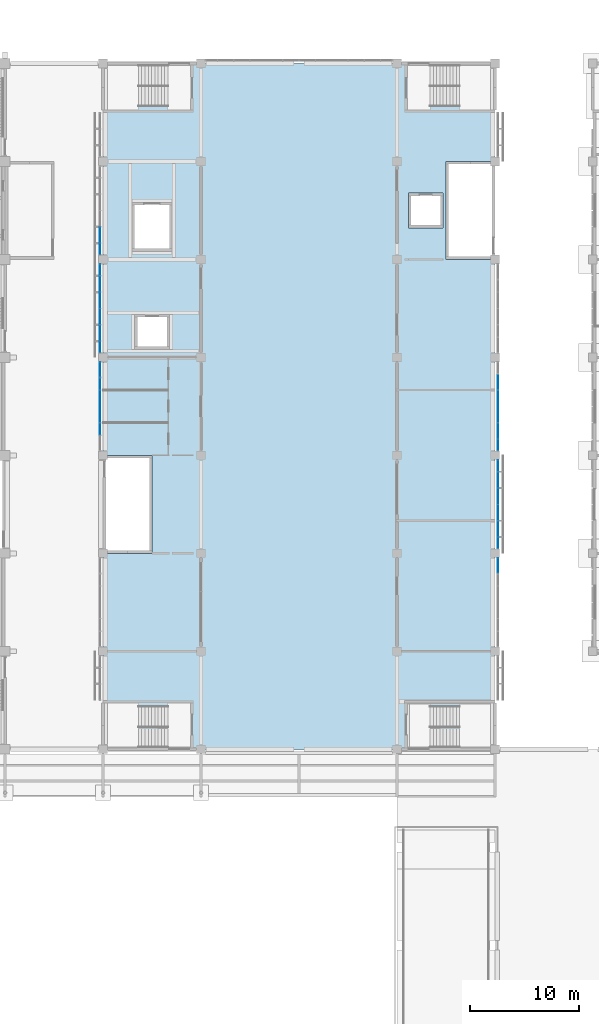
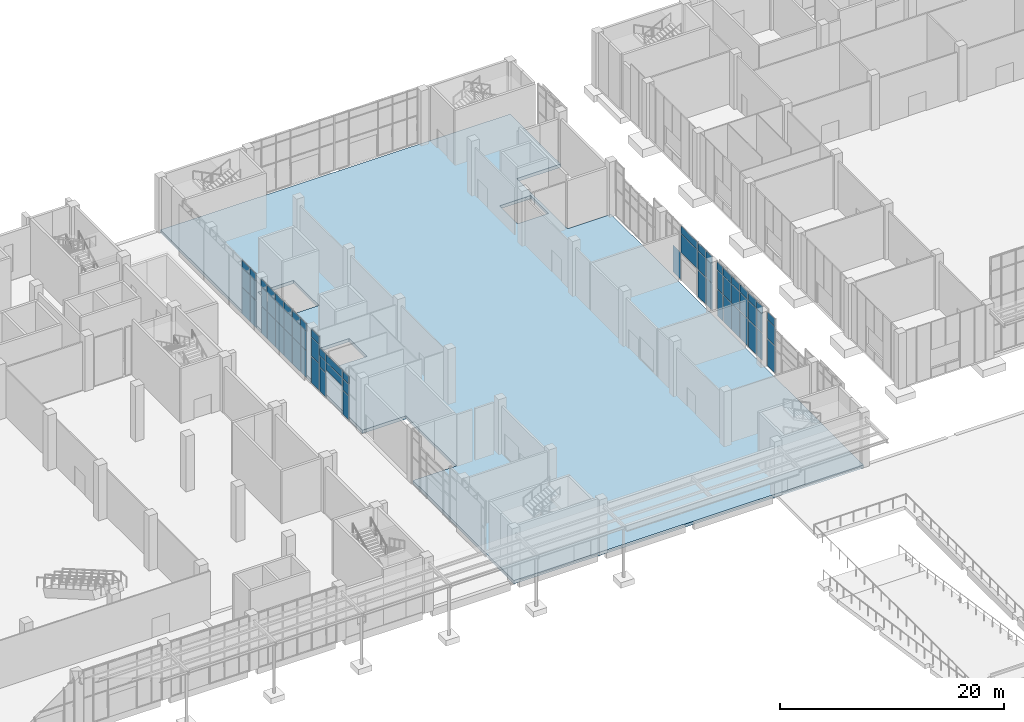
# One storey, part 42 of 86: 65 plates, 1 slab, 7 elements without a shape of their own.
"""IFC4 building model written with IfcOpenShell, lengths in metres."""

from ifc_helpers import new_model, si_unit, direction, frame, origin, origin_2d, place, context, subcontext, project, spatial, polyline, rectangle, outline, extrude, material, layer, layer_set, type_object, element, aggregate, save


model = new_model("IFC4")

# Units and contexts
model_context = context("Model", 3, precision=1e-05, world=origin(), true_north=direction((0.0, 1.0)))
body_context = subcontext(model_context, "Body", "Model", "MODEL_VIEW")
ifc_project = project(units=[si_unit("LENGTHUNIT", "METRE"), si_unit("AREAUNIT", "SQUARE_METRE"), si_unit("VOLUMEUNIT", "CUBIC_METRE"), si_unit("PLANEANGLEUNIT", "RADIAN"), si_unit("MASSUNIT", "GRAM", prefix="KILO")], contexts=[model_context])

# Site, building, storey
site_placement = place(None, origin())
site = spatial("IfcSite", under=ifc_project, at=site_placement, CompositionType="ELEMENT")
building_placement = place(site_placement, origin())
building = spatial("IfcBuilding", under=site, at=building_placement, Name="Guidao Yard Department Store", CompositionType="ELEMENT")
storey_placement = place(building_placement, origin())
storey = spatial("IfcBuildingStorey", under=building, at=storey_placement, Name="L00", CompositionType="ELEMENT", Elevation=0.0)

# Slab
ifc_material_1 = material(Name="Concrete C35", Category="concrete")
ifc_layer_1 = layer(ifc_material_1, 0.35009765625)
ifc_layer_set_1 = layer_set([ifc_layer_1], Name="Flat slab 350 C35")
slab_type = type_object("IfcSlabType", Name="Flat slab 350 C35", PredefinedType="FLOOR", material=ifc_layer_set_1)
slab_placement = place(storey_placement, frame((0.0, 0.0, -0.35009765625)))
element("IfcSlab", 1, at=slab_placement, inside=storey, type_object=slab_type, Name="Slab L00-A", PredefinedType="FLOOR", context=body_context, shape_type="SweptSolid", body=[
    extrude(outline(polyline([(72.0, 45.0), (72.0, 63.0), (76.5, 63.0), (76.5, 72.0), (72.0, 72.0), (72.0, 108.0), (108.0, 108.0), (108.0, 99.0), (103.5, 99.0), (103.5, 90.0), (108.0, 90.0), (108.0, 45.0), (72.0, 45.0)]), holes=[polyline([(78.10009765625, 84.949951171875), (74.89990234375, 84.949951171875), (74.89990234375, 81.75), (78.10009765625, 81.75), (78.10009765625, 84.949951171875)]), polyline([(74.64990234375, 90.75), (78.35009765625, 90.75), (78.35009765625, 95.25), (74.64990234375, 95.25), (74.64990234375, 90.75)]), polyline([(103.25, 92.89990234375), (103.25, 96.10009765625), (100.050048828125, 96.10009765625), (100.050048828125, 92.89990234375), (103.25, 92.89990234375)])]), origin(), (0.0, 0.0, 1.0), 0.35009765625),
])

# Curtain wall, plates
ifc_material_2 = material(Name="Aluminium and glass", Category="aluminium")
ifc_layer_2 = layer(ifc_material_2, 0.159912109375)
ifc_layer_set_2 = layer_set([ifc_layer_2], Name="Shopfront curtain wall CW1 1500 module")
curtain_wall_type = type_object("IfcCurtainWallType", Name="Shopfront curtain wall CW1 1500 module", PredefinedType="NOTDEFINED", material=ifc_layer_set_2)
curtain_wall_1_placement = place(storey_placement, origin())
curtain_wall_1 = element("IfcCurtainWall", 2, at=curtain_wall_1_placement, inside=storey, type_object=curtain_wall_type, Name="Arcade shop front", PredefinedType="NOTDEFINED")
ifc_material_3 = material(Name="Aluminium 6063-T5 faced insulated spandrel", Category="aluminium")
ifc_layer_3 = layer(ifc_material_3, 0.06005859375)
ifc_layer_set_3 = layer_set([ifc_layer_3], Name="Spandrel panel SP1 insulated opaque")
plate_type_1 = type_object("IfcPlateType", Name="Spandrel panel SP1 insulated opaque", PredefinedType="CURTAIN_PANEL", material=ifc_layer_set_3)
plate_1_placement = place(storey_placement, frame((71.719970703125, 74.43994140625, 3.97998046875), z_axis=(0.0, 0.0, 1.0), x_axis=(0.0, 1.0, 0.0)))
plate_1 = element("IfcPlate", 3, at=plate_1_placement, type_object=plate_type_1, Name="CW-AS-L00-06 panel 1.3", PredefinedType="CURTAIN_PANEL", context=body_context, shape_type="SweptSolid", body=[
    extrude(rectangle(XDim=1.06005859375, YDim=0.06005859375, at=origin_2d()), origin(), (0.0, 0.0, 1.0), 0.81005859375),
])
plate_2_placement = place(storey_placement, frame((71.719970703125, 76.5, 3.97998046875), z_axis=(0.0, 0.0, 1.0), x_axis=(0.0, 1.0, 0.0)))
plate_2 = element("IfcPlate", 4, at=plate_2_placement, type_object=plate_type_1, Name="CW-AS-L00-06 panel 2.3", PredefinedType="CURTAIN_PANEL", context=body_context, shape_type="SweptSolid", body=[
    extrude(rectangle(XDim=2.93994140625, YDim=0.06005859375, at=origin_2d()), origin(), (0.0, 0.0, 1.0), 0.81005859375),
])
plate_3_placement = place(storey_placement, frame((71.719970703125, 78.56005859375, 3.97998046875), z_axis=(0.0, 0.0, 1.0), x_axis=(0.0, 1.0, 0.0)))
plate_3 = element("IfcPlate", 5, at=plate_3_placement, type_object=plate_type_1, Name="CW-AS-L00-06 panel 3.3", PredefinedType="CURTAIN_PANEL", context=body_context, shape_type="SweptSolid", body=[
    extrude(rectangle(XDim=1.06005859375, YDim=0.06005859375, at=origin_2d()), origin(), (0.0, 0.0, 1.0), 0.81005859375),
])

# Curtain wall, plate
curtain_wall_2_placement = place(storey_placement, origin())
curtain_wall_2 = element("IfcCurtainWall", 6, at=curtain_wall_2_placement, inside=storey, type_object=curtain_wall_type, Name="Arcade shop front", PredefinedType="NOTDEFINED")
plate_4_placement = place(storey_placement, frame((71.719970703125, 79.875, 5.1298828125), z_axis=(0.0, 0.0, 1.0), x_axis=(0.0, 1.0, 0.0)))
plate_4 = element("IfcPlate", 7, at=plate_4_placement, type_object=plate_type_1, Name="CW-AS-L00-07 panel 1.3", PredefinedType="CURTAIN_PANEL", context=body_context, shape_type="SweptSolid", body=[
    extrude(rectangle(XDim=1.330078125, YDim=0.06005859375, at=origin_2d()), origin(), (0.0, 0.0, 1.0), 0.81005859375),
])

# Curtain wall, plates
curtain_wall_3_placement = place(storey_placement, origin())
curtain_wall_3 = element("IfcCurtainWall", 8, at=curtain_wall_3_placement, inside=storey, type_object=curtain_wall_type, Name="Arcade shop front", PredefinedType="NOTDEFINED")
plate_5_placement = place(storey_placement, frame((71.719970703125, 81.965087890625, 5.1298828125), z_axis=(0.0, 0.0, 1.0), x_axis=(0.0, 1.0, 0.0)))
plate_5 = element("IfcPlate", 9, at=plate_5_placement, type_object=plate_type_1, Name="CW-AS-L00-08 panel 1.3", PredefinedType="CURTAIN_PANEL", context=body_context, shape_type="SweptSolid", body=[
    extrude(rectangle(XDim=1.010009765625, YDim=0.06005859375, at=origin_2d()), origin(), (0.0, 0.0, 1.0), 0.81005859375),
])
plate_6_placement = place(storey_placement, frame((71.719970703125, 83.25, 5.1298828125), z_axis=(0.0, 0.0, 1.0), x_axis=(0.0, 1.0, 0.0)))
plate_6 = element("IfcPlate", 10, at=plate_6_placement, type_object=plate_type_1, Name="CW-AS-L00-08 panel 2.3", PredefinedType="CURTAIN_PANEL", context=body_context, shape_type="SweptSolid", body=[
    extrude(rectangle(XDim=1.43994140625, YDim=0.06005859375, at=origin_2d()), origin(), (0.0, 0.0, 1.0), 0.81005859375),
])
plate_7_placement = place(storey_placement, frame((71.719970703125, 84.75, 5.1298828125), z_axis=(0.0, 0.0, 1.0), x_axis=(0.0, 1.0, 0.0)))
plate_7 = element("IfcPlate", 11, at=plate_7_placement, type_object=plate_type_1, Name="CW-AS-L00-08 panel 3.3", PredefinedType="CURTAIN_PANEL", context=body_context, shape_type="SweptSolid", body=[
    extrude(rectangle(XDim=1.43994140625, YDim=0.06005859375, at=origin_2d()), origin(), (0.0, 0.0, 1.0), 0.81005859375),
])
plate_8_placement = place(storey_placement, frame((71.719970703125, 86.25, 5.1298828125), z_axis=(0.0, 0.0, 1.0), x_axis=(0.0, 1.0, 0.0)))
plate_8 = element("IfcPlate", 12, at=plate_8_placement, type_object=plate_type_1, Name="CW-AS-L00-08 panel 4.3", PredefinedType="CURTAIN_PANEL", context=body_context, shape_type="SweptSolid", body=[
    extrude(rectangle(XDim=1.43994140625, YDim=0.06005859375, at=origin_2d()), origin(), (0.0, 0.0, 1.0), 0.81005859375),
])
plate_9_placement = place(storey_placement, frame((71.719970703125, 87.75, 5.1298828125), z_axis=(0.0, 0.0, 1.0), x_axis=(0.0, 1.0, 0.0)))
plate_9 = element("IfcPlate", 13, at=plate_9_placement, type_object=plate_type_1, Name="CW-AS-L00-08 panel 5.3", PredefinedType="CURTAIN_PANEL", context=body_context, shape_type="SweptSolid", body=[
    extrude(rectangle(XDim=1.43994140625, YDim=0.06005859375, at=origin_2d()), origin(), (0.0, 0.0, 1.0), 0.81005859375),
])
plate_10_placement = place(storey_placement, frame((71.719970703125, 89.034912109375, 5.1298828125), z_axis=(0.0, 0.0, 1.0), x_axis=(0.0, 1.0, 0.0)))
plate_10 = element("IfcPlate", 14, at=plate_10_placement, type_object=plate_type_1, Name="CW-AS-L00-08 panel 6.3", PredefinedType="CURTAIN_PANEL", context=body_context, shape_type="SweptSolid", body=[
    extrude(rectangle(XDim=1.010009765625, YDim=0.06005859375, at=origin_2d()), origin(), (0.0, 0.0, 1.0), 0.81005859375),
])

curtain_wall_4_placement = place(storey_placement, origin())
curtain_wall_4 = element("IfcCurtainWall", 15, at=curtain_wall_4_placement, inside=storey, type_object=curtain_wall_type, Name="Arcade shop front", PredefinedType="NOTDEFINED")
plate_11_placement = place(storey_placement, frame((71.719970703125, 90.965087890625, 5.1298828125), z_axis=(0.0, 0.0, 1.0), x_axis=(0.0, 1.0, 0.0)))
plate_11 = element("IfcPlate", 16, at=plate_11_placement, type_object=plate_type_1, Name="CW-AS-L00-09 panel 1.3", PredefinedType="CURTAIN_PANEL", context=body_context, shape_type="SweptSolid", body=[
    extrude(rectangle(XDim=1.010009765625, YDim=0.06005859375, at=origin_2d()), origin(), (0.0, 0.0, 1.0), 0.81005859375),
])
plate_12_placement = place(storey_placement, frame((71.719970703125, 92.25, 5.1298828125), z_axis=(0.0, 0.0, 1.0), x_axis=(0.0, 1.0, 0.0)))
plate_12 = element("IfcPlate", 17, at=plate_12_placement, type_object=plate_type_1, Name="CW-AS-L00-09 panel 2.3", PredefinedType="CURTAIN_PANEL", context=body_context, shape_type="SweptSolid", body=[
    extrude(rectangle(XDim=1.43994140625, YDim=0.06005859375, at=origin_2d()), origin(), (0.0, 0.0, 1.0), 0.81005859375),
])

# Curtain wall, plate
curtain_wall_5_placement = place(storey_placement, origin())
curtain_wall_5 = element("IfcCurtainWall", 18, at=curtain_wall_5_placement, inside=storey, type_object=curtain_wall_type, Name="Arcade shop front", PredefinedType="NOTDEFINED")
plate_13_placement = place(storey_placement, frame((108.280029296875, 61.875, 5.1298828125), z_axis=(0.0, 0.0, 1.0), x_axis=(0.0, -1.0, 0.0)))
plate_13 = element("IfcPlate", 19, at=plate_13_placement, type_object=plate_type_1, Name="CW-AS-L00-14 panel 1.3", PredefinedType="CURTAIN_PANEL", context=body_context, shape_type="SweptSolid", body=[
    extrude(rectangle(XDim=1.330078125, YDim=0.06005859375, at=origin_2d()), origin(), (0.0, 0.0, 1.0), 0.81005859375),
])

# Curtain wall, plates
curtain_wall_6_placement = place(storey_placement, origin())
curtain_wall_6 = element("IfcCurtainWall", 20, at=curtain_wall_6_placement, inside=storey, type_object=curtain_wall_type, Name="Arcade shop front", PredefinedType="NOTDEFINED")
plate_14_placement = place(storey_placement, frame((108.280029296875, 63.965087890625, 5.1298828125), z_axis=(0.0, 0.0, 1.0), x_axis=(0.0, -1.0, 0.0)))
plate_14 = element("IfcPlate", 21, at=plate_14_placement, type_object=plate_type_1, Name="CW-AS-L00-15 panel 1.3", PredefinedType="CURTAIN_PANEL", context=body_context, shape_type="SweptSolid", body=[
    extrude(rectangle(XDim=1.010009765625, YDim=0.06005859375, at=origin_2d()), origin(), (0.0, 0.0, 1.0), 0.81005859375),
])
plate_15_placement = place(storey_placement, frame((108.280029296875, 65.25, 5.1298828125), z_axis=(0.0, 0.0, 1.0), x_axis=(0.0, -1.0, 0.0)))
plate_15 = element("IfcPlate", 22, at=plate_15_placement, type_object=plate_type_1, Name="CW-AS-L00-15 panel 2.3", PredefinedType="CURTAIN_PANEL", context=body_context, shape_type="SweptSolid", body=[
    extrude(rectangle(XDim=1.43994140625, YDim=0.06005859375, at=origin_2d()), origin(), (0.0, 0.0, 1.0), 0.81005859375),
])
plate_16_placement = place(storey_placement, frame((108.280029296875, 66.75, 5.1298828125), z_axis=(0.0, 0.0, 1.0), x_axis=(0.0, -1.0, 0.0)))
plate_16 = element("IfcPlate", 23, at=plate_16_placement, type_object=plate_type_1, Name="CW-AS-L00-15 panel 3.3", PredefinedType="CURTAIN_PANEL", context=body_context, shape_type="SweptSolid", body=[
    extrude(rectangle(XDim=1.43994140625, YDim=0.06005859375, at=origin_2d()), origin(), (0.0, 0.0, 1.0), 0.81005859375),
])
plate_17_placement = place(storey_placement, frame((108.280029296875, 68.25, 5.1298828125), z_axis=(0.0, 0.0, 1.0), x_axis=(0.0, -1.0, 0.0)))
plate_17 = element("IfcPlate", 24, at=plate_17_placement, type_object=plate_type_1, Name="CW-AS-L00-15 panel 4.3", PredefinedType="CURTAIN_PANEL", context=body_context, shape_type="SweptSolid", body=[
    extrude(rectangle(XDim=1.43994140625, YDim=0.06005859375, at=origin_2d()), origin(), (0.0, 0.0, 1.0), 0.81005859375),
])
plate_18_placement = place(storey_placement, frame((108.280029296875, 69.75, 5.1298828125), z_axis=(0.0, 0.0, 1.0), x_axis=(0.0, -1.0, 0.0)))
plate_18 = element("IfcPlate", 25, at=plate_18_placement, type_object=plate_type_1, Name="CW-AS-L00-15 panel 5.3", PredefinedType="CURTAIN_PANEL", context=body_context, shape_type="SweptSolid", body=[
    extrude(rectangle(XDim=1.43994140625, YDim=0.06005859375, at=origin_2d()), origin(), (0.0, 0.0, 1.0), 0.81005859375),
])
plate_19_placement = place(storey_placement, frame((108.280029296875, 71.034912109375, 5.1298828125), z_axis=(0.0, 0.0, 1.0), x_axis=(0.0, -1.0, 0.0)))
plate_19 = element("IfcPlate", 26, at=plate_19_placement, type_object=plate_type_1, Name="CW-AS-L00-15 panel 6.3", PredefinedType="CURTAIN_PANEL", context=body_context, shape_type="SweptSolid", body=[
    extrude(rectangle(XDim=1.010009765625, YDim=0.06005859375, at=origin_2d()), origin(), (0.0, 0.0, 1.0), 0.81005859375),
])

curtain_wall_7_placement = place(storey_placement, origin())
curtain_wall_7 = element("IfcCurtainWall", 27, at=curtain_wall_7_placement, inside=storey, type_object=curtain_wall_type, Name="Arcade shop front", PredefinedType="NOTDEFINED")
plate_20_placement = place(storey_placement, frame((108.280029296875, 72.965087890625, 5.1298828125), z_axis=(0.0, 0.0, 1.0), x_axis=(0.0, -1.0, 0.0)))
plate_20 = element("IfcPlate", 28, at=plate_20_placement, type_object=plate_type_1, Name="CW-AS-L00-16 panel 1.3", PredefinedType="CURTAIN_PANEL", context=body_context, shape_type="SweptSolid", body=[
    extrude(rectangle(XDim=1.010009765625, YDim=0.06005859375, at=origin_2d()), origin(), (0.0, 0.0, 1.0), 0.81005859375),
])
plate_21_placement = place(storey_placement, frame((108.280029296875, 74.25, 5.1298828125), z_axis=(0.0, 0.0, 1.0), x_axis=(0.0, -1.0, 0.0)))
plate_21 = element("IfcPlate", 29, at=plate_21_placement, type_object=plate_type_1, Name="CW-AS-L00-16 panel 2.3", PredefinedType="CURTAIN_PANEL", context=body_context, shape_type="SweptSolid", body=[
    extrude(rectangle(XDim=1.43994140625, YDim=0.06005859375, at=origin_2d()), origin(), (0.0, 0.0, 1.0), 0.81005859375),
])
plate_22_placement = place(storey_placement, frame((108.280029296875, 76.5, 5.1298828125), z_axis=(0.0, 0.0, 1.0), x_axis=(0.0, -1.0, 0.0)))
plate_22 = element("IfcPlate", 30, at=plate_22_placement, type_object=plate_type_1, Name="CW-AS-L00-16 panel 3.3", PredefinedType="CURTAIN_PANEL", context=body_context, shape_type="SweptSolid", body=[
    extrude(rectangle(XDim=2.93994140625, YDim=0.06005859375, at=origin_2d()), origin(), (0.0, 0.0, 1.0), 0.81005859375),
])

# Plate
ifc_material_4 = material(Name="Laminated heat-soaked tempered glass", Category="glass")
ifc_layer_4 = layer(ifc_material_4, 0.017578125)
ifc_layer_set_4 = layer_set([ifc_layer_4], Name="Vision glass VG1 laminated heat-soaked tempered 8+8")
plate_type_2 = type_object("IfcPlateType", Name="Vision glass VG1 laminated heat-soaked tempered 8+8", PredefinedType="CURTAIN_PANEL", material=ifc_layer_set_4)
plate_23_placement = place(storey_placement, frame((71.719970703125, 74.43994140625, 0.06005859375), z_axis=(0.0, 0.0, 1.0), x_axis=(0.0, 1.0, 0.0)))
plate_23 = element("IfcPlate", 31, at=plate_23_placement, type_object=plate_type_2, Name="CW-AS-L00-06 panel 1.1", PredefinedType="CURTAIN_PANEL", context=body_context, shape_type="SweptSolid", body=[
    extrude(rectangle(XDim=1.06005859375, YDim=0.017578125, at=origin_2d()), origin(), (0.0, 0.0, 1.0), 2.610107421875),
])

plate_24_placement = place(storey_placement, frame((71.719970703125, 74.43994140625, 2.72998046875), z_axis=(0.0, 0.0, 1.0), x_axis=(0.0, 1.0, 0.0)))
plate_24 = element("IfcPlate", 32, at=plate_24_placement, type_object=plate_type_2, Name="CW-AS-L00-06 panel 1.2", PredefinedType="CURTAIN_PANEL", context=body_context, shape_type="SweptSolid", body=[
    extrude(rectangle(XDim=1.06005859375, YDim=0.017578125, at=origin_2d()), origin(), (0.0, 0.0, 1.0), 1.18994140625),
])

plate_25_placement = place(storey_placement, frame((71.719970703125, 76.5, 3.0302734375), z_axis=(0.0, 0.0, 1.0), x_axis=(0.0, 1.0, 0.0)))
plate_25 = element("IfcPlate", 33, at=plate_25_placement, type_object=plate_type_2, Name="CW-AS-L00-06 panel 2.2", PredefinedType="CURTAIN_PANEL", context=body_context, shape_type="SweptSolid", body=[
    extrude(rectangle(XDim=2.93994140625, YDim=0.017578125, at=origin_2d()), origin(), (0.0, 0.0, 1.0), 0.889892578125),
])

plate_26_placement = place(storey_placement, frame((71.719970703125, 78.56005859375, 0.06005859375), z_axis=(0.0, 0.0, 1.0), x_axis=(0.0, 1.0, 0.0)))
plate_26 = element("IfcPlate", 34, at=plate_26_placement, type_object=plate_type_2, Name="CW-AS-L00-06 panel 3.1", PredefinedType="CURTAIN_PANEL", context=body_context, shape_type="SweptSolid", body=[
    extrude(rectangle(XDim=1.06005859375, YDim=0.017578125, at=origin_2d()), origin(), (0.0, 0.0, 1.0), 2.610107421875),
])

plate_27_placement = place(storey_placement, frame((71.719970703125, 78.56005859375, 2.72998046875), z_axis=(0.0, 0.0, 1.0), x_axis=(0.0, 1.0, 0.0)))
plate_27 = element("IfcPlate", 35, at=plate_27_placement, type_object=plate_type_2, Name="CW-AS-L00-06 panel 3.2", PredefinedType="CURTAIN_PANEL", context=body_context, shape_type="SweptSolid", body=[
    extrude(rectangle(XDim=1.06005859375, YDim=0.017578125, at=origin_2d()), origin(), (0.0, 0.0, 1.0), 1.18994140625),
])

aggregate(curtain_wall_1, [plate_23, plate_24, plate_1, plate_25, plate_2, plate_26, plate_27, plate_3])

plate_28_placement = place(storey_placement, frame((71.719970703125, 79.875, 0.06005859375), z_axis=(0.0, 0.0, 1.0), x_axis=(0.0, 1.0, 0.0)))
plate_28 = element("IfcPlate", 36, at=plate_28_placement, type_object=plate_type_2, Name="CW-AS-L00-07 panel 1.1", PredefinedType="CURTAIN_PANEL", context=body_context, shape_type="SweptSolid", body=[
    extrude(rectangle(XDim=1.330078125, YDim=0.017578125, at=origin_2d()), origin(), (0.0, 0.0, 1.0), 2.909912109375),
])

plate_29_placement = place(storey_placement, frame((71.719970703125, 79.875, 3.030029296875), z_axis=(0.0, 0.0, 1.0), x_axis=(0.0, 1.0, 0.0)))
plate_29 = element("IfcPlate", 37, at=plate_29_placement, type_object=plate_type_2, Name="CW-AS-L00-07 panel 1.2", PredefinedType="CURTAIN_PANEL", context=body_context, shape_type="SweptSolid", body=[
    extrude(rectangle(XDim=1.330078125, YDim=0.017578125, at=origin_2d()), origin(), (0.0, 0.0, 1.0), 2.0400390625),
])

aggregate(curtain_wall_2, [plate_28, plate_29, plate_4])

plate_30_placement = place(storey_placement, frame((71.719970703125, 81.965087890625, 0.06005859375), z_axis=(0.0, 0.0, 1.0), x_axis=(0.0, 1.0, 0.0)))
plate_30 = element("IfcPlate", 38, at=plate_30_placement, type_object=plate_type_2, Name="CW-AS-L00-08 panel 1.1", PredefinedType="CURTAIN_PANEL", context=body_context, shape_type="SweptSolid", body=[
    extrude(rectangle(XDim=1.010009765625, YDim=0.017578125, at=origin_2d()), origin(), (0.0, 0.0, 1.0), 2.909912109375),
])

plate_31_placement = place(storey_placement, frame((71.719970703125, 81.965087890625, 3.030029296875), z_axis=(0.0, 0.0, 1.0), x_axis=(0.0, 1.0, 0.0)))
plate_31 = element("IfcPlate", 39, at=plate_31_placement, type_object=plate_type_2, Name="CW-AS-L00-08 panel 1.2", PredefinedType="CURTAIN_PANEL", context=body_context, shape_type="SweptSolid", body=[
    extrude(rectangle(XDim=1.010009765625, YDim=0.017578125, at=origin_2d()), origin(), (0.0, 0.0, 1.0), 2.0400390625),
])

plate_32_placement = place(storey_placement, frame((71.719970703125, 83.25, 0.06005859375), z_axis=(0.0, 0.0, 1.0), x_axis=(0.0, 1.0, 0.0)))
plate_32 = element("IfcPlate", 40, at=plate_32_placement, type_object=plate_type_2, Name="CW-AS-L00-08 panel 2.1", PredefinedType="CURTAIN_PANEL", context=body_context, shape_type="SweptSolid", body=[
    extrude(rectangle(XDim=1.43994140625, YDim=0.017578125, at=origin_2d()), origin(), (0.0, 0.0, 1.0), 2.909912109375),
])

plate_33_placement = place(storey_placement, frame((71.719970703125, 83.25, 3.030029296875), z_axis=(0.0, 0.0, 1.0), x_axis=(0.0, 1.0, 0.0)))
plate_33 = element("IfcPlate", 41, at=plate_33_placement, type_object=plate_type_2, Name="CW-AS-L00-08 panel 2.2", PredefinedType="CURTAIN_PANEL", context=body_context, shape_type="SweptSolid", body=[
    extrude(rectangle(XDim=1.43994140625, YDim=0.017578125, at=origin_2d()), origin(), (0.0, 0.0, 1.0), 2.0400390625),
])

plate_34_placement = place(storey_placement, frame((71.719970703125, 84.75, 0.06005859375), z_axis=(0.0, 0.0, 1.0), x_axis=(0.0, 1.0, 0.0)))
plate_34 = element("IfcPlate", 42, at=plate_34_placement, type_object=plate_type_2, Name="CW-AS-L00-08 panel 3.1", PredefinedType="CURTAIN_PANEL", context=body_context, shape_type="SweptSolid", body=[
    extrude(rectangle(XDim=1.43994140625, YDim=0.017578125, at=origin_2d()), origin(), (0.0, 0.0, 1.0), 2.909912109375),
])

plate_35_placement = place(storey_placement, frame((71.719970703125, 84.75, 3.030029296875), z_axis=(0.0, 0.0, 1.0), x_axis=(0.0, 1.0, 0.0)))
plate_35 = element("IfcPlate", 43, at=plate_35_placement, type_object=plate_type_2, Name="CW-AS-L00-08 panel 3.2", PredefinedType="CURTAIN_PANEL", context=body_context, shape_type="SweptSolid", body=[
    extrude(rectangle(XDim=1.43994140625, YDim=0.017578125, at=origin_2d()), origin(), (0.0, 0.0, 1.0), 2.0400390625),
])

plate_36_placement = place(storey_placement, frame((71.719970703125, 86.25, 0.06005859375), z_axis=(0.0, 0.0, 1.0), x_axis=(0.0, 1.0, 0.0)))
plate_36 = element("IfcPlate", 44, at=plate_36_placement, type_object=plate_type_2, Name="CW-AS-L00-08 panel 4.1", PredefinedType="CURTAIN_PANEL", context=body_context, shape_type="SweptSolid", body=[
    extrude(rectangle(XDim=1.43994140625, YDim=0.017578125, at=origin_2d()), origin(), (0.0, 0.0, 1.0), 2.909912109375),
])

plate_37_placement = place(storey_placement, frame((71.719970703125, 86.25, 3.030029296875), z_axis=(0.0, 0.0, 1.0), x_axis=(0.0, 1.0, 0.0)))
plate_37 = element("IfcPlate", 45, at=plate_37_placement, type_object=plate_type_2, Name="CW-AS-L00-08 panel 4.2", PredefinedType="CURTAIN_PANEL", context=body_context, shape_type="SweptSolid", body=[
    extrude(rectangle(XDim=1.43994140625, YDim=0.017578125, at=origin_2d()), origin(), (0.0, 0.0, 1.0), 2.0400390625),
])

plate_38_placement = place(storey_placement, frame((71.719970703125, 87.75, 0.06005859375), z_axis=(0.0, 0.0, 1.0), x_axis=(0.0, 1.0, 0.0)))
plate_38 = element("IfcPlate", 46, at=plate_38_placement, type_object=plate_type_2, Name="CW-AS-L00-08 panel 5.1", PredefinedType="CURTAIN_PANEL", context=body_context, shape_type="SweptSolid", body=[
    extrude(rectangle(XDim=1.43994140625, YDim=0.017578125, at=origin_2d()), origin(), (0.0, 0.0, 1.0), 2.909912109375),
])

plate_39_placement = place(storey_placement, frame((71.719970703125, 87.75, 3.030029296875), z_axis=(0.0, 0.0, 1.0), x_axis=(0.0, 1.0, 0.0)))
plate_39 = element("IfcPlate", 47, at=plate_39_placement, type_object=plate_type_2, Name="CW-AS-L00-08 panel 5.2", PredefinedType="CURTAIN_PANEL", context=body_context, shape_type="SweptSolid", body=[
    extrude(rectangle(XDim=1.43994140625, YDim=0.017578125, at=origin_2d()), origin(), (0.0, 0.0, 1.0), 2.0400390625),
])

plate_40_placement = place(storey_placement, frame((71.719970703125, 89.034912109375, 0.06005859375), z_axis=(0.0, 0.0, 1.0), x_axis=(0.0, 1.0, 0.0)))
plate_40 = element("IfcPlate", 48, at=plate_40_placement, type_object=plate_type_2, Name="CW-AS-L00-08 panel 6.1", PredefinedType="CURTAIN_PANEL", context=body_context, shape_type="SweptSolid", body=[
    extrude(rectangle(XDim=1.010009765625, YDim=0.017578125, at=origin_2d()), origin(), (0.0, 0.0, 1.0), 2.909912109375),
])

plate_41_placement = place(storey_placement, frame((71.719970703125, 89.034912109375, 3.030029296875), z_axis=(0.0, 0.0, 1.0), x_axis=(0.0, 1.0, 0.0)))
plate_41 = element("IfcPlate", 49, at=plate_41_placement, type_object=plate_type_2, Name="CW-AS-L00-08 panel 6.2", PredefinedType="CURTAIN_PANEL", context=body_context, shape_type="SweptSolid", body=[
    extrude(rectangle(XDim=1.010009765625, YDim=0.017578125, at=origin_2d()), origin(), (0.0, 0.0, 1.0), 2.0400390625),
])

aggregate(curtain_wall_3, [plate_30, plate_31, plate_5, plate_32, plate_33, plate_6, plate_34, plate_35, plate_7, plate_36, plate_37, plate_8, plate_38, plate_39, plate_9, plate_40, plate_41, plate_10])

plate_42_placement = place(storey_placement, frame((71.719970703125, 90.965087890625, 0.06005859375), z_axis=(0.0, 0.0, 1.0), x_axis=(0.0, 1.0, 0.0)))
plate_42 = element("IfcPlate", 50, at=plate_42_placement, type_object=plate_type_2, Name="CW-AS-L00-09 panel 1.1", PredefinedType="CURTAIN_PANEL", context=body_context, shape_type="SweptSolid", body=[
    extrude(rectangle(XDim=1.010009765625, YDim=0.017578125, at=origin_2d()), origin(), (0.0, 0.0, 1.0), 2.909912109375),
])

plate_43_placement = place(storey_placement, frame((71.719970703125, 90.965087890625, 3.030029296875), z_axis=(0.0, 0.0, 1.0), x_axis=(0.0, 1.0, 0.0)))
plate_43 = element("IfcPlate", 51, at=plate_43_placement, type_object=plate_type_2, Name="CW-AS-L00-09 panel 1.2", PredefinedType="CURTAIN_PANEL", context=body_context, shape_type="SweptSolid", body=[
    extrude(rectangle(XDim=1.010009765625, YDim=0.017578125, at=origin_2d()), origin(), (0.0, 0.0, 1.0), 2.0400390625),
])

plate_44_placement = place(storey_placement, frame((71.719970703125, 92.25, 0.06005859375), z_axis=(0.0, 0.0, 1.0), x_axis=(0.0, 1.0, 0.0)))
plate_44 = element("IfcPlate", 52, at=plate_44_placement, type_object=plate_type_2, Name="CW-AS-L00-09 panel 2.1", PredefinedType="CURTAIN_PANEL", context=body_context, shape_type="SweptSolid", body=[
    extrude(rectangle(XDim=1.43994140625, YDim=0.017578125, at=origin_2d()), origin(), (0.0, 0.0, 1.0), 2.909912109375),
])

plate_45_placement = place(storey_placement, frame((71.719970703125, 92.25, 3.030029296875), z_axis=(0.0, 0.0, 1.0), x_axis=(0.0, 1.0, 0.0)))
plate_45 = element("IfcPlate", 53, at=plate_45_placement, type_object=plate_type_2, Name="CW-AS-L00-09 panel 2.2", PredefinedType="CURTAIN_PANEL", context=body_context, shape_type="SweptSolid", body=[
    extrude(rectangle(XDim=1.43994140625, YDim=0.017578125, at=origin_2d()), origin(), (0.0, 0.0, 1.0), 2.0400390625),
])

aggregate(curtain_wall_4, [plate_42, plate_43, plate_11, plate_44, plate_45, plate_12])

plate_46_placement = place(storey_placement, frame((108.280029296875, 61.875, 0.06005859375), z_axis=(0.0, 0.0, 1.0), x_axis=(0.0, -1.0, 0.0)))
plate_46 = element("IfcPlate", 54, at=plate_46_placement, type_object=plate_type_2, Name="CW-AS-L00-14 panel 1.1", PredefinedType="CURTAIN_PANEL", context=body_context, shape_type="SweptSolid", body=[
    extrude(rectangle(XDim=1.330078125, YDim=0.017578125, at=origin_2d()), origin(), (0.0, 0.0, 1.0), 2.909912109375),
])

plate_47_placement = place(storey_placement, frame((108.280029296875, 61.875, 3.030029296875), z_axis=(0.0, 0.0, 1.0), x_axis=(0.0, -1.0, 0.0)))
plate_47 = element("IfcPlate", 55, at=plate_47_placement, type_object=plate_type_2, Name="CW-AS-L00-14 panel 1.2", PredefinedType="CURTAIN_PANEL", context=body_context, shape_type="SweptSolid", body=[
    extrude(rectangle(XDim=1.330078125, YDim=0.017578125, at=origin_2d()), origin(), (0.0, 0.0, 1.0), 2.0400390625),
])

aggregate(curtain_wall_5, [plate_46, plate_47, plate_13])

plate_48_placement = place(storey_placement, frame((108.280029296875, 63.965087890625, 0.06005859375), z_axis=(0.0, 0.0, 1.0), x_axis=(0.0, -1.0, 0.0)))
plate_48 = element("IfcPlate", 56, at=plate_48_placement, type_object=plate_type_2, Name="CW-AS-L00-15 panel 1.1", PredefinedType="CURTAIN_PANEL", context=body_context, shape_type="SweptSolid", body=[
    extrude(rectangle(XDim=1.010009765625, YDim=0.017578125, at=origin_2d()), origin(), (0.0, 0.0, 1.0), 2.909912109375),
])

plate_49_placement = place(storey_placement, frame((108.280029296875, 63.965087890625, 3.030029296875), z_axis=(0.0, 0.0, 1.0), x_axis=(0.0, -1.0, 0.0)))
plate_49 = element("IfcPlate", 57, at=plate_49_placement, type_object=plate_type_2, Name="CW-AS-L00-15 panel 1.2", PredefinedType="CURTAIN_PANEL", context=body_context, shape_type="SweptSolid", body=[
    extrude(rectangle(XDim=1.010009765625, YDim=0.017578125, at=origin_2d()), origin(), (0.0, 0.0, 1.0), 2.0400390625),
])

plate_50_placement = place(storey_placement, frame((108.280029296875, 65.25, 0.06005859375), z_axis=(0.0, 0.0, 1.0), x_axis=(0.0, -1.0, 0.0)))
plate_50 = element("IfcPlate", 58, at=plate_50_placement, type_object=plate_type_2, Name="CW-AS-L00-15 panel 2.1", PredefinedType="CURTAIN_PANEL", context=body_context, shape_type="SweptSolid", body=[
    extrude(rectangle(XDim=1.43994140625, YDim=0.017578125, at=origin_2d()), origin(), (0.0, 0.0, 1.0), 2.909912109375),
])

plate_51_placement = place(storey_placement, frame((108.280029296875, 65.25, 3.030029296875), z_axis=(0.0, 0.0, 1.0), x_axis=(0.0, -1.0, 0.0)))
plate_51 = element("IfcPlate", 59, at=plate_51_placement, type_object=plate_type_2, Name="CW-AS-L00-15 panel 2.2", PredefinedType="CURTAIN_PANEL", context=body_context, shape_type="SweptSolid", body=[
    extrude(rectangle(XDim=1.43994140625, YDim=0.017578125, at=origin_2d()), origin(), (0.0, 0.0, 1.0), 2.0400390625),
])

plate_52_placement = place(storey_placement, frame((108.280029296875, 66.75, 0.06005859375), z_axis=(0.0, 0.0, 1.0), x_axis=(0.0, -1.0, 0.0)))
plate_52 = element("IfcPlate", 60, at=plate_52_placement, type_object=plate_type_2, Name="CW-AS-L00-15 panel 3.1", PredefinedType="CURTAIN_PANEL", context=body_context, shape_type="SweptSolid", body=[
    extrude(rectangle(XDim=1.43994140625, YDim=0.017578125, at=origin_2d()), origin(), (0.0, 0.0, 1.0), 2.909912109375),
])

plate_53_placement = place(storey_placement, frame((108.280029296875, 66.75, 3.030029296875), z_axis=(0.0, 0.0, 1.0), x_axis=(0.0, -1.0, 0.0)))
plate_53 = element("IfcPlate", 61, at=plate_53_placement, type_object=plate_type_2, Name="CW-AS-L00-15 panel 3.2", PredefinedType="CURTAIN_PANEL", context=body_context, shape_type="SweptSolid", body=[
    extrude(rectangle(XDim=1.43994140625, YDim=0.017578125, at=origin_2d()), origin(), (0.0, 0.0, 1.0), 2.0400390625),
])

plate_54_placement = place(storey_placement, frame((108.280029296875, 68.25, 0.06005859375), z_axis=(0.0, 0.0, 1.0), x_axis=(0.0, -1.0, 0.0)))
plate_54 = element("IfcPlate", 62, at=plate_54_placement, type_object=plate_type_2, Name="CW-AS-L00-15 panel 4.1", PredefinedType="CURTAIN_PANEL", context=body_context, shape_type="SweptSolid", body=[
    extrude(rectangle(XDim=1.43994140625, YDim=0.017578125, at=origin_2d()), origin(), (0.0, 0.0, 1.0), 2.909912109375),
])

plate_55_placement = place(storey_placement, frame((108.280029296875, 68.25, 3.030029296875), z_axis=(0.0, 0.0, 1.0), x_axis=(0.0, -1.0, 0.0)))
plate_55 = element("IfcPlate", 63, at=plate_55_placement, type_object=plate_type_2, Name="CW-AS-L00-15 panel 4.2", PredefinedType="CURTAIN_PANEL", context=body_context, shape_type="SweptSolid", body=[
    extrude(rectangle(XDim=1.43994140625, YDim=0.017578125, at=origin_2d()), origin(), (0.0, 0.0, 1.0), 2.0400390625),
])

plate_56_placement = place(storey_placement, frame((108.280029296875, 69.75, 0.06005859375), z_axis=(0.0, 0.0, 1.0), x_axis=(0.0, -1.0, 0.0)))
plate_56 = element("IfcPlate", 64, at=plate_56_placement, type_object=plate_type_2, Name="CW-AS-L00-15 panel 5.1", PredefinedType="CURTAIN_PANEL", context=body_context, shape_type="SweptSolid", body=[
    extrude(rectangle(XDim=1.43994140625, YDim=0.017578125, at=origin_2d()), origin(), (0.0, 0.0, 1.0), 2.909912109375),
])

plate_57_placement = place(storey_placement, frame((108.280029296875, 69.75, 3.030029296875), z_axis=(0.0, 0.0, 1.0), x_axis=(0.0, -1.0, 0.0)))
plate_57 = element("IfcPlate", 65, at=plate_57_placement, type_object=plate_type_2, Name="CW-AS-L00-15 panel 5.2", PredefinedType="CURTAIN_PANEL", context=body_context, shape_type="SweptSolid", body=[
    extrude(rectangle(XDim=1.43994140625, YDim=0.017578125, at=origin_2d()), origin(), (0.0, 0.0, 1.0), 2.0400390625),
])

plate_58_placement = place(storey_placement, frame((108.280029296875, 71.034912109375, 0.06005859375), z_axis=(0.0, 0.0, 1.0), x_axis=(0.0, -1.0, 0.0)))
plate_58 = element("IfcPlate", 66, at=plate_58_placement, type_object=plate_type_2, Name="CW-AS-L00-15 panel 6.1", PredefinedType="CURTAIN_PANEL", context=body_context, shape_type="SweptSolid", body=[
    extrude(rectangle(XDim=1.010009765625, YDim=0.017578125, at=origin_2d()), origin(), (0.0, 0.0, 1.0), 2.909912109375),
])

plate_59_placement = place(storey_placement, frame((108.280029296875, 71.034912109375, 3.030029296875), z_axis=(0.0, 0.0, 1.0), x_axis=(0.0, -1.0, 0.0)))
plate_59 = element("IfcPlate", 67, at=plate_59_placement, type_object=plate_type_2, Name="CW-AS-L00-15 panel 6.2", PredefinedType="CURTAIN_PANEL", context=body_context, shape_type="SweptSolid", body=[
    extrude(rectangle(XDim=1.010009765625, YDim=0.017578125, at=origin_2d()), origin(), (0.0, 0.0, 1.0), 2.0400390625),
])

aggregate(curtain_wall_6, [plate_48, plate_49, plate_14, plate_50, plate_51, plate_15, plate_52, plate_53, plate_16, plate_54, plate_55, plate_17, plate_56, plate_57, plate_18, plate_58, plate_59, plate_19])

plate_60_placement = place(storey_placement, frame((108.280029296875, 72.965087890625, 0.06005859375), z_axis=(0.0, 0.0, 1.0), x_axis=(0.0, -1.0, 0.0)))
plate_60 = element("IfcPlate", 68, at=plate_60_placement, type_object=plate_type_2, Name="CW-AS-L00-16 panel 1.1", PredefinedType="CURTAIN_PANEL", context=body_context, shape_type="SweptSolid", body=[
    extrude(rectangle(XDim=1.010009765625, YDim=0.017578125, at=origin_2d()), origin(), (0.0, 0.0, 1.0), 2.909912109375),
])

plate_61_placement = place(storey_placement, frame((108.280029296875, 72.965087890625, 3.030029296875), z_axis=(0.0, 0.0, 1.0), x_axis=(0.0, -1.0, 0.0)))
plate_61 = element("IfcPlate", 69, at=plate_61_placement, type_object=plate_type_2, Name="CW-AS-L00-16 panel 1.2", PredefinedType="CURTAIN_PANEL", context=body_context, shape_type="SweptSolid", body=[
    extrude(rectangle(XDim=1.010009765625, YDim=0.017578125, at=origin_2d()), origin(), (0.0, 0.0, 1.0), 2.0400390625),
])

plate_62_placement = place(storey_placement, frame((108.280029296875, 74.25, 0.06005859375), z_axis=(0.0, 0.0, 1.0), x_axis=(0.0, -1.0, 0.0)))
plate_62 = element("IfcPlate", 70, at=plate_62_placement, type_object=plate_type_2, Name="CW-AS-L00-16 panel 2.1", PredefinedType="CURTAIN_PANEL", context=body_context, shape_type="SweptSolid", body=[
    extrude(rectangle(XDim=1.43994140625, YDim=0.017578125, at=origin_2d()), origin(), (0.0, 0.0, 1.0), 2.909912109375),
])

plate_63_placement = place(storey_placement, frame((108.280029296875, 74.25, 3.030029296875), z_axis=(0.0, 0.0, 1.0), x_axis=(0.0, -1.0, 0.0)))
plate_63 = element("IfcPlate", 71, at=plate_63_placement, type_object=plate_type_2, Name="CW-AS-L00-16 panel 2.2", PredefinedType="CURTAIN_PANEL", context=body_context, shape_type="SweptSolid", body=[
    extrude(rectangle(XDim=1.43994140625, YDim=0.017578125, at=origin_2d()), origin(), (0.0, 0.0, 1.0), 2.0400390625),
])

plate_64_placement = place(storey_placement, frame((108.280029296875, 76.5, 3.030029296875), z_axis=(0.0, 0.0, 1.0), x_axis=(0.0, -1.0, 0.0)))
plate_64 = element("IfcPlate", 72, at=plate_64_placement, type_object=plate_type_2, Name="CW-AS-L00-16 panel 3.2", PredefinedType="CURTAIN_PANEL", context=body_context, shape_type="SweptSolid", body=[
    extrude(rectangle(XDim=2.93994140625, YDim=0.017578125, at=origin_2d()), origin(), (0.0, 0.0, 1.0), 2.0400390625),
])

plate_65_placement = place(storey_placement, frame((108.280029296875, 78.75, 0.06005859375), z_axis=(0.0, 0.0, 1.0), x_axis=(0.0, -1.0, 0.0)))
plate_65 = element("IfcPlate", 73, at=plate_65_placement, type_object=plate_type_2, Name="CW-AS-L00-16 panel 4.1", PredefinedType="CURTAIN_PANEL", context=body_context, shape_type="SweptSolid", body=[
    extrude(rectangle(XDim=1.43994140625, YDim=0.017578125, at=origin_2d()), origin(), (0.0, 0.0, 1.0), 2.909912109375),
])

aggregate(curtain_wall_7, [plate_60, plate_61, plate_20, plate_62, plate_63, plate_21, plate_64, plate_22, plate_65])

save(model, "model.ifc")
